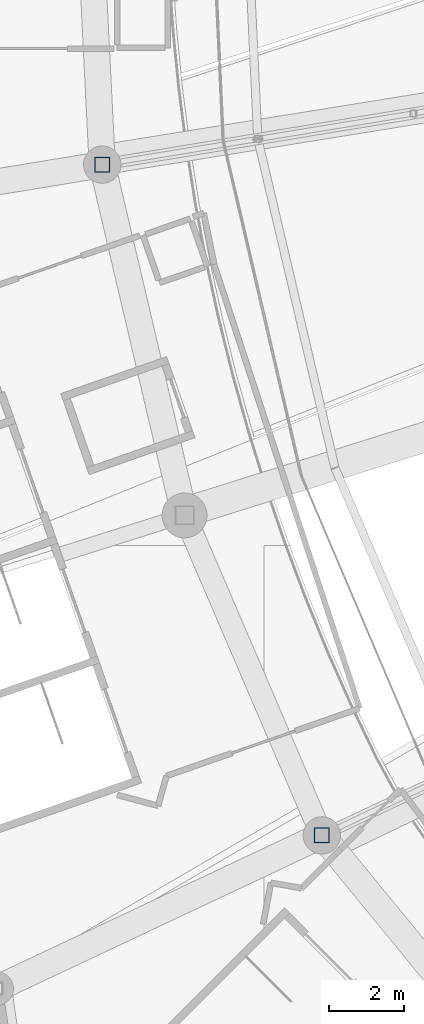
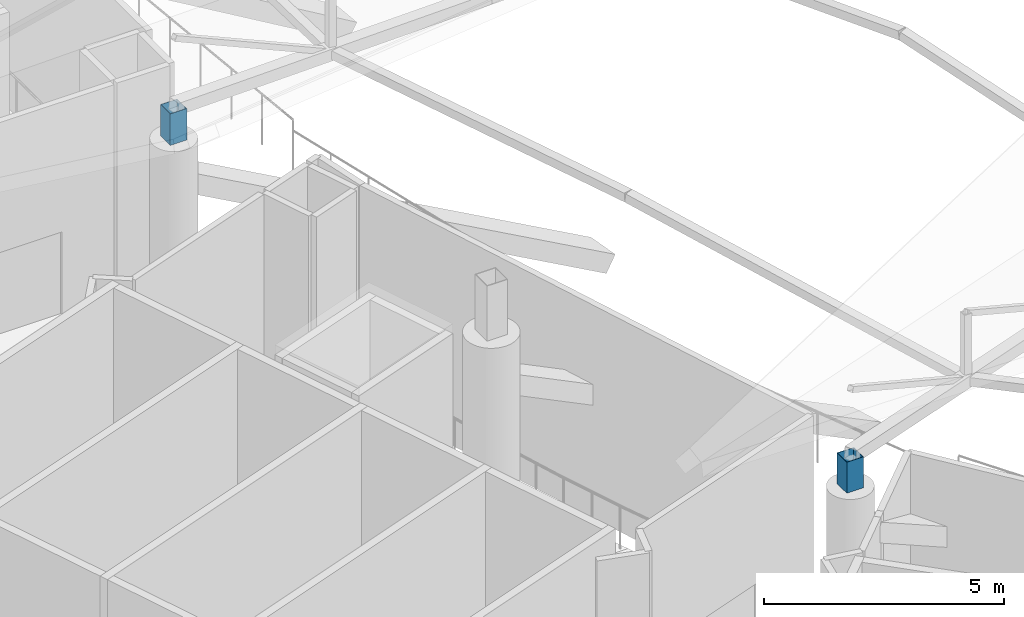
# One storey, part 208 of 344: 2 members.
"""IFC4 building model written with IfcOpenShell, lengths in metres."""

from ifc_helpers import new_model, si_unit, direction, frame, origin, origin_2d, place, context, subcontext, project, spatial, hollow_rectangle, extrude, material, material_profile, profile_set, type_object, element, save


model = new_model("IFC4")

# Units and contexts
model_context = context("Model", 3, precision=1e-05, world=origin(), true_north=direction((0.0, 1.0)))
body_context = subcontext(model_context, "Body", "Model", "MODEL_VIEW")
ifc_project = project(units=[si_unit("LENGTHUNIT", "METRE"), si_unit("AREAUNIT", "SQUARE_METRE"), si_unit("VOLUMEUNIT", "CUBIC_METRE"), si_unit("PLANEANGLEUNIT", "RADIAN"), si_unit("MASSUNIT", "GRAM", prefix="KILO")], contexts=[model_context])

# Site, building, storey
site_placement = place(None, origin())
site = spatial("IfcSite", under=ifc_project, at=site_placement, CompositionType="ELEMENT")
building_placement = place(site_placement, origin())
building = spatial("IfcBuilding", under=site, at=building_placement, Name="Meseta Stadium", CompositionType="ELEMENT")
storey_placement = place(building_placement, frame((0.0, 0.0, 24.0)))
storey = spatial("IfcBuildingStorey", under=building, at=storey_placement, Name="L04", CompositionType="ELEMENT", Elevation=24.0)

# Members
ifc_material = material(Name="Steel S355", Category="steel")
ifc_material_profile = material_profile(ifc_material, hollow_rectangle(XDim=0.39990234375, YDim=0.39990234375, WallThickness=0.010009765625, at=origin_2d()), Name="SHS 400x400x10")
ifc_profile_set = profile_set([ifc_material_profile], Name="Steel S355")
member_type = type_object("IfcMemberType", Name="SHS 400x400x10 pedestal", PredefinedType="POST", material=ifc_profile_set)
member_1_placement = place(storey_placement, frame((-84.3251953125, -53.801513671875, 6.0), z_axis=(0.0, 0.0, 1.0), x_axis=(1.0, 0.0, 0.0)))
element("IfcMember", 1, at=member_1_placement, inside=storey, type_object=member_type, Name="ROOF TRUSS RT-37 pedestal", PredefinedType="POST", context=body_context, shape_type="SweptSolid", body=[
    extrude(hollow_rectangle(XDim=0.39990234375, YDim=0.39990234375, WallThickness=0.010009765625, at=origin_2d()), origin(), (0.0, 0.0, 1.0), 0.800048828125),
])
member_2_placement = place(storey_placement, frame((-78.4453125, -71.756103515625, 6.0), z_axis=(0.0, 0.0, 1.0), x_axis=(1.0, 0.0, 0.0)))
element("IfcMember", 2, at=member_2_placement, inside=storey, type_object=member_type, Name="ROOF TRUSS RT-39 pedestal", PredefinedType="POST", context=body_context, shape_type="SweptSolid", body=[
    extrude(hollow_rectangle(XDim=0.39990234375, YDim=0.39990234375, WallThickness=0.010009765625, at=origin_2d()), origin(), (0.0, 0.0, 1.0), 0.785400390625),
])

save(model, "model.ifc")
